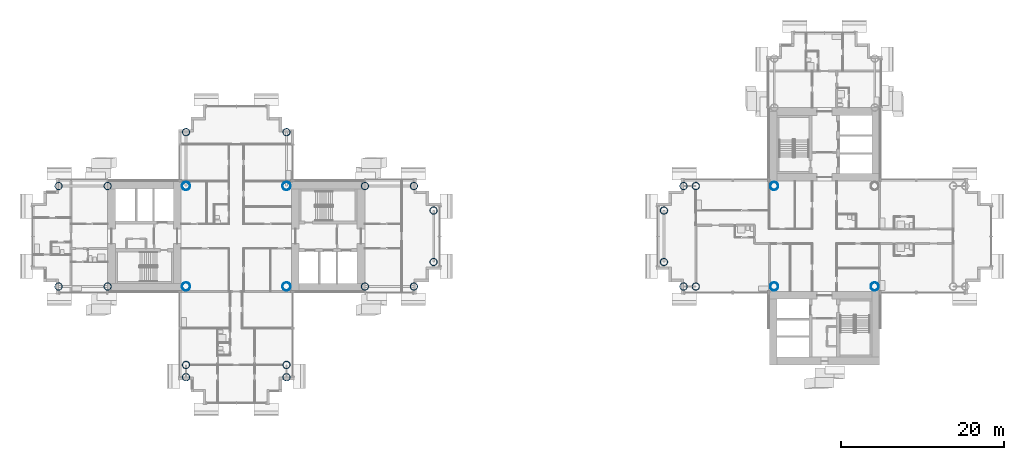
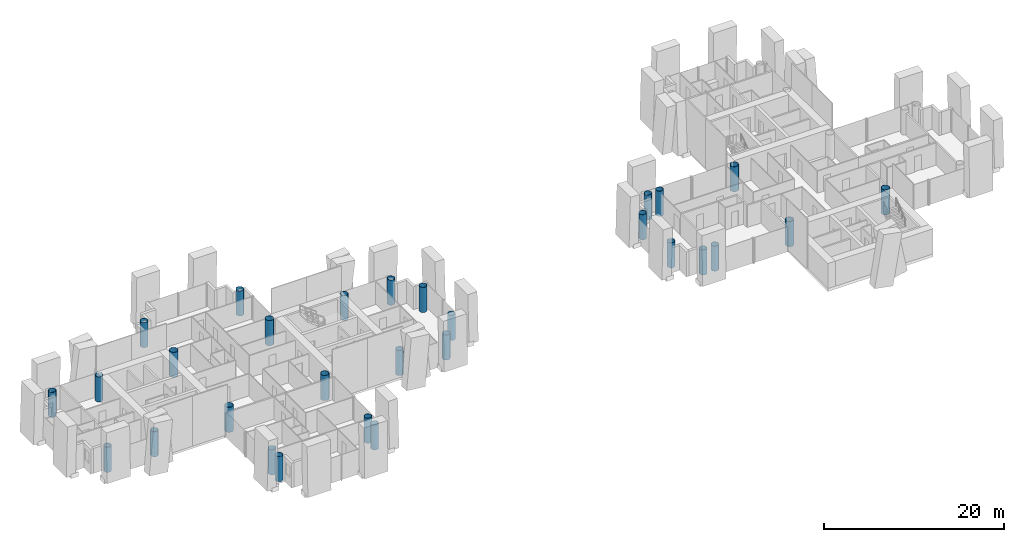
# One storey, part 1 of 21: 29 columns.
"""IFC4 building model written with IfcOpenShell, lengths in metres."""

from ifc_helpers import new_model, si_unit, direction, frame, origin, origin_2d, place, context, subcontext, project, spatial, hollow_circle, extrude, material, material_profile, profile_set, type_object, element, save


model = new_model("IFC4")

# Units and contexts
model_context = context("Model", 3, precision=1e-05, world=origin(), true_north=direction((0.0, 1.0)))
body_context = subcontext(model_context, "Body", "Model", "MODEL_VIEW")
ifc_project = project(units=[si_unit("LENGTHUNIT", "METRE"), si_unit("AREAUNIT", "SQUARE_METRE"), si_unit("VOLUMEUNIT", "CUBIC_METRE"), si_unit("PLANEANGLEUNIT", "RADIAN"), si_unit("MASSUNIT", "GRAM", prefix="KILO")], contexts=[model_context])

# Site, building, storey
site_placement = place(None, origin())
site = spatial("IfcSite", under=ifc_project, at=site_placement, CompositionType="ELEMENT")
building_placement = place(site_placement, origin())
building = spatial("IfcBuilding", under=site, at=building_placement, Name="Ipe Terrace Towers", CompositionType="ELEMENT")
storey_placement = place(building_placement, frame((0.0, 0.0, 93.60009765625)))
storey = spatial("IfcBuildingStorey", under=building, at=storey_placement, Name="L25", CompositionType="ELEMENT", Elevation=93.60009765625)

# Columns
ifc_material_1 = material(Name="Steel S355 tube with Concrete C60/75 fill", Category="concrete")
ifc_material_profile_1 = material_profile(ifc_material_1, hollow_circle(Radius=0.5, WallThickness=0.035888671875, at=origin_2d()), Name="CHS-1000x36")
ifc_profile_set_1 = profile_set([ifc_material_profile_1], Name="Steel S355 tube with Concrete C60/75 fill")
column_type_1 = type_object("IfcColumnType", Name="CH01 COLUMN CHS-1000x36", PredefinedType="COLUMN", material=ifc_profile_set_1)
for number, where, z_axis, x_axis, name in (
    (1, (-42.14990234375, -6.14990234375, 0.0), (0.0, 0.0, 1.0), (1.0, 0.0, 0.0), "Column T1-C-E01"),
    (2, (-29.85009765625, -6.14990234375, 0.0), (0.0, 0.0, 1.0), (1.0, 0.0, 0.0), "Column T1-C-E02"),
    (3, (-29.85009765625, 6.14990234375, 0.0), (0.0, 0.0, 1.0), (1.0, 0.0, 0.0), "Column T1-C-E03"),
    (4, (-42.14990234375, 6.14990234375, 0.0), (0.0, 0.0, 1.0), (1.0, 0.0, 0.0), "Column T1-C-E04"),
    (5, (42.14990234375, -6.14990234375, 0.0), (0.0, 0.0, 1.0), (1.0, 0.0, 0.0), "Column T2-C-E01"),
    (6, (29.85009765625, 6.14990234375, 0.0), (0.0, 0.0, 1.0), (1.0, 0.0, 0.0), "Column T2-C-E03"),
    (7, (29.85009765625, -6.14990234375, 0.0), (0.0, 0.0, 1.0), (1.0, 0.0, 0.0), "Column T2-C-E04"),
):
    element("IfcColumn", number, at=place(storey_placement, frame(where, z_axis=z_axis, x_axis=x_axis)), inside=storey, type_object=column_type_1, Name=name, PredefinedType="COLUMN", context=body_context, shape_type="SweptSolid", body=[
        extrude(hollow_circle(Radius=0.5, WallThickness=0.035888671875, at=origin_2d()), origin(), (0.0, 0.0, 1.0), 3.39990234375),
    ])
ifc_material_2 = material(Name="Steel S355 tube with Concrete C60/75 fill", Category="concrete")
ifc_material_profile_2 = material_profile(ifc_material_2, hollow_circle(Radius=0.449951171875, WallThickness=0.031982421875, at=origin_2d()), Name="CHS-900x32")
ifc_profile_set_2 = profile_set([ifc_material_profile_2], Name="Steel S355 tube with Concrete C60/75 fill")
column_type_2 = type_object("IfcColumnType", Name="CH10 COLUMN CHS-900x32", PredefinedType="COLUMN", material=ifc_profile_set_2)
for number, where, z_axis, x_axis, name in (
    (8, (-20.25, -6.14990234375, 0.0), (0.0, 0.0, 1.0), (1.0, 0.0, 0.0), "Column T1-C-A01"),
    (9, (-20.25, 6.14990234375, 0.0), (0.0, 0.0, 1.0), (1.0, 0.0, 0.0), "Column T1-C-A02"),
    (10, (-14.25, -6.14990234375, 0.0), (0.0, 0.0, 1.0), (1.0, 0.0, 0.0), "Column T1-C-A03"),
    (11, (-14.25, 6.14990234375, 0.0), (0.0, 0.0, 1.0), (1.0, 0.0, 0.0), "Column T1-C-A04"),
    (12, (-11.85009765625, -3.14990234375, 0.0), (0.0, 0.0, 1.0), (1.0, 0.0, 0.0), "Column T1-C-A05"),
    (13, (-11.85009765625, 3.14990234375, 0.0), (0.0, 0.0, 1.0), (1.0, 0.0, 0.0), "Column T1-C-A06"),
    (14, (-29.85009765625, 12.75, 0.0), (0.0, 0.0, 1.0), (1.0, 0.0, 0.0), "Column T1-C-B01"),
    (15, (-42.14990234375, 12.75, 0.0), (0.0, 0.0, 1.0), (1.0, 0.0, 0.0), "Column T1-C-B02"),
    (16, (-51.75, -6.14990234375, 0.0), (0.0, 0.0, 1.0), (1.0, 0.0, 0.0), "Column T1-C-C01"),
    (17, (-51.75, 6.14990234375, 0.0), (0.0, 0.0, 1.0), (1.0, 0.0, 0.0), "Column T1-C-C02"),
    (18, (-57.75, -6.14990234375, 0.0), (0.0, 0.0, 1.0), (1.0, 0.0, 0.0), "Column T1-C-C03"),
    (19, (-57.75, 6.14990234375, 0.0), (0.0, 0.0, 1.0), (1.0, 0.0, 0.0), "Column T1-C-C04"),
    (20, (-42.14990234375, -15.75, 0.0), (0.0, 0.0, 1.0), (1.0, 0.0, 0.0), "Column T1-C-D03"),
    (21, (-29.85009765625, -15.75, 0.0), (0.0, 0.0, 1.0), (1.0, 0.0, 0.0), "Column T1-C-D04"),
    (22, (-42.14990234375, -17.25, 0.0), (0.0, 0.0, 1.0), (1.0, 0.0, 0.0), "Column T1-C-D05"),
    (23, (-29.85009765625, -17.25, 0.0), (0.0, 0.0, 1.0), (1.0, 0.0, 0.0), "Column T1-C-D06"),
    (24, (20.25, 6.14990234375, 0.0), (0.0, 0.0, 1.0), (1.0, 0.0, 0.0), "Column T2-C-B03"),
    (25, (20.25, -6.14990234375, 0.0), (0.0, 0.0, 1.0), (1.0, 0.0, 0.0), "Column T2-C-B04"),
    (26, (18.75, 6.14990234375, 0.0), (0.0, 0.0, 1.0), (1.0, 0.0, 0.0), "Column T2-C-B05"),
    (27, (18.75, -6.14990234375, 0.0), (0.0, 0.0, 1.0), (1.0, 0.0, 0.0), "Column T2-C-B06"),
    (28, (16.35009765625, 3.14990234375, 0.0), (0.0, 0.0, 1.0), (1.0, 0.0, 0.0), "Column T2-C-B07"),
    (29, (16.35009765625, -3.14990234375, 0.0), (0.0, 0.0, 1.0), (1.0, 0.0, 0.0), "Column T2-C-B08"),
):
    element("IfcColumn", number, at=place(storey_placement, frame(where, z_axis=z_axis, x_axis=x_axis)), inside=storey, type_object=column_type_2, Name=name, PredefinedType="COLUMN", context=body_context, shape_type="SweptSolid", body=[
        extrude(hollow_circle(Radius=0.449951171875, WallThickness=0.031982421875, at=origin_2d()), origin(), (0.0, 0.0, 1.0), 3.39990234375),
    ])

save(model, "model.ifc")
